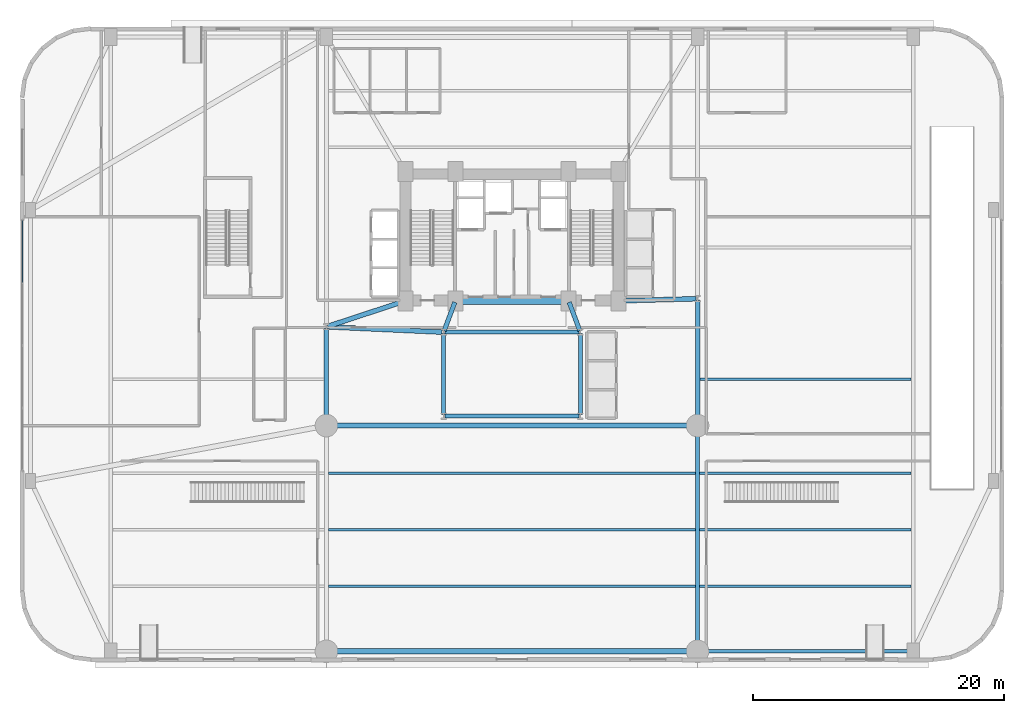
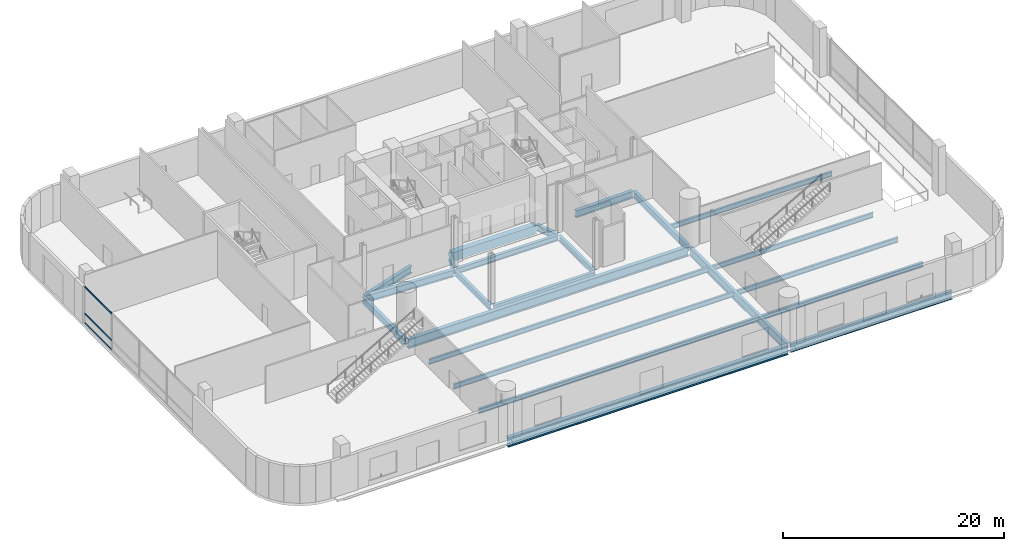
# One storey, part 9 of 26: 23 beams, 3 members, 1 element without a shape of its own.
"""IFC4 building model written with IfcOpenShell, lengths in metres."""

from ifc_helpers import new_model, si_unit, direction, frame, origin, origin_2d, place, context, subcontext, project, spatial, rectangle, hollow_rectangle, i_section, extrude, material, layer, layer_set, material_profile, profile_set, type_object, element, aggregate, save


model = new_model("IFC4")

# Units and contexts
model_context = context("Model", 3, precision=1e-05, world=origin(), true_north=direction((0.0, 1.0)))
body_context = subcontext(model_context, "Body", "Model", "MODEL_VIEW")
ifc_project = project(units=[si_unit("LENGTHUNIT", "METRE"), si_unit("AREAUNIT", "SQUARE_METRE"), si_unit("VOLUMEUNIT", "CUBIC_METRE"), si_unit("PLANEANGLEUNIT", "RADIAN"), si_unit("MASSUNIT", "GRAM", prefix="KILO")], contexts=[model_context])

# Site, building, storey
site_placement = place(None, origin())
site = spatial("IfcSite", under=ifc_project, at=site_placement, CompositionType="ELEMENT")
building_placement = place(site_placement, origin())
building = spatial("IfcBuilding", under=site, at=building_placement, Name="Varnelok Gate Tower", CompositionType="ELEMENT")
storey_placement = place(building_placement, origin())
storey = spatial("IfcBuildingStorey", under=building, at=storey_placement, Name="L00", CompositionType="ELEMENT", Elevation=0.0)

# Beams
ifc_material_1 = material(Name="Structural Steel ASTM A992 Grade 50", Category="steel")
ifc_material_profile_1 = material_profile(ifc_material_1, i_section(OverallWidth=0.2119140625, OverallDepth=0.5439453125, WebThickness=0.01318359375, FlangeThickness=0.021240234375, FilletRadius=0.01611328125, at=origin_2d()), Name="W21X83")
ifc_profile_set_1 = profile_set([ifc_material_profile_1], Name="Structural Steel ASTM A992 Grade 50")
beam_type_1 = type_object("IfcBeamType", Name="BM-JST-W21X83", PredefinedType="JOIST", material=ifc_profile_set_1)
beam_1_placement = place(storey_placement, frame((54.159912109375, 6.0, -0.592041015625), z_axis=(1.0, 0.0, 0.0), x_axis=(0.0, 1.0, 0.0)))
element("IfcBeam", 1, at=beam_1_placement, inside=storey, type_object=beam_type_1, Name="L00 Podium Floor Joist", PredefinedType="JOIST", context=body_context, shape_type="SweptSolid", body=[
    extrude(i_section(OverallWidth=0.2119140625, OverallDepth=0.5439453125, WebThickness=0.01318359375, FlangeThickness=0.021240234375, FilletRadius=0.01611328125, at=origin_2d()), origin(), (0.0, 0.0, 1.0), 16.880126953125),
])
beam_2_placement = place(storey_placement, frame((24.56005859375, 6.0, -0.592041015625), z_axis=(1.0, 0.0, 0.0), x_axis=(0.0, 1.0, 0.0)))
element("IfcBeam", 2, at=beam_2_placement, inside=storey, type_object=beam_type_1, Name="L00 Central Bay Joist", PredefinedType="JOIST", context=body_context, shape_type="SweptSolid", body=[
    extrude(i_section(OverallWidth=0.2119140625, OverallDepth=0.5439453125, WebThickness=0.01318359375, FlangeThickness=0.021240234375, FilletRadius=0.01611328125, at=origin_2d()), origin(), (0.0, 0.0, 1.0), 29.280029296875),
])
beam_3_placement = place(storey_placement, frame((54.159912109375, 10.5, -0.592041015625), z_axis=(1.0, 0.0, 0.0), x_axis=(0.0, 1.0, 0.0)))
element("IfcBeam", 3, at=beam_3_placement, inside=storey, type_object=beam_type_1, Name="L00 Podium Floor Joist", PredefinedType="JOIST", context=body_context, shape_type="SweptSolid", body=[
    extrude(i_section(OverallWidth=0.2119140625, OverallDepth=0.5439453125, WebThickness=0.01318359375, FlangeThickness=0.021240234375, FilletRadius=0.01611328125, at=origin_2d()), origin(), (0.0, 0.0, 1.0), 16.880126953125),
])
beam_4_placement = place(storey_placement, frame((24.56005859375, 10.5, -0.592041015625), z_axis=(1.0, 0.0, 0.0), x_axis=(0.0, 1.0, 0.0)))
element("IfcBeam", 4, at=beam_4_placement, inside=storey, type_object=beam_type_1, Name="L00 Central Bay Joist", PredefinedType="JOIST", context=body_context, shape_type="SweptSolid", body=[
    extrude(i_section(OverallWidth=0.2119140625, OverallDepth=0.5439453125, WebThickness=0.01318359375, FlangeThickness=0.021240234375, FilletRadius=0.01611328125, at=origin_2d()), origin(), (0.0, 0.0, 1.0), 29.280029296875),
])
beam_5_placement = place(storey_placement, frame((54.159912109375, 15.0, -0.592041015625), z_axis=(1.0, 0.0, 0.0), x_axis=(0.0, 1.0, 0.0)))
element("IfcBeam", 5, at=beam_5_placement, inside=storey, type_object=beam_type_1, Name="L00 Podium Floor Joist", PredefinedType="JOIST", context=body_context, shape_type="SweptSolid", body=[
    extrude(i_section(OverallWidth=0.2119140625, OverallDepth=0.5439453125, WebThickness=0.01318359375, FlangeThickness=0.021240234375, FilletRadius=0.01611328125, at=origin_2d()), origin(), (0.0, 0.0, 1.0), 16.880126953125),
])
beam_6_placement = place(storey_placement, frame((24.56005859375, 15.0, -0.592041015625), z_axis=(1.0, 0.0, 0.0), x_axis=(0.0, 1.0, 0.0)))
element("IfcBeam", 6, at=beam_6_placement, inside=storey, type_object=beam_type_1, Name="L00 Central Bay Joist", PredefinedType="JOIST", context=body_context, shape_type="SweptSolid", body=[
    extrude(i_section(OverallWidth=0.2119140625, OverallDepth=0.5439453125, WebThickness=0.01318359375, FlangeThickness=0.021240234375, FilletRadius=0.01611328125, at=origin_2d()), origin(), (0.0, 0.0, 1.0), 29.280029296875),
])
beam_7_placement = place(storey_placement, frame((54.159912109375, 22.5, -0.592041015625), z_axis=(1.0, 0.0, 0.0), x_axis=(0.0, 1.0, 0.0)))
element("IfcBeam", 7, at=beam_7_placement, inside=storey, type_object=beam_type_1, Name="L00 Podium Floor Joist", PredefinedType="JOIST", context=body_context, shape_type="SweptSolid", body=[
    extrude(i_section(OverallWidth=0.2119140625, OverallDepth=0.5439453125, WebThickness=0.01318359375, FlangeThickness=0.021240234375, FilletRadius=0.01611328125, at=origin_2d()), origin(), (0.0, 0.0, 1.0), 16.880126953125),
])
ifc_material_2 = material(Name="Concrete C60/75", Category="concrete")
ifc_material_profile_2 = material_profile(ifc_material_2, rectangle(XDim=0.60009765625, YDim=0.949951171875, at=origin_2d()), Name="RC950X600")
ifc_profile_set_2 = profile_set([ifc_material_profile_2], Name="Concrete C60/75")
beam_type_2 = type_object("IfcBeamType", Name="BM-LNT-RC950", PredefinedType="LINTEL", material=ifc_profile_set_2)
beam_8_placement = place(storey_placement, frame((34.800048828125, 28.75, -0.794921875), z_axis=(1.0, 0.0, 0.0), x_axis=(0.0, 1.0, 0.0)))
element("IfcBeam", 8, at=beam_8_placement, inside=storey, type_object=beam_type_2, Name="L00 Core-Atrium Spine Beam 7", PredefinedType="LINTEL", context=body_context, shape_type="SweptSolid", body=[
    extrude(rectangle(XDim=0.60009765625, YDim=0.949951171875, at=origin_2d()), origin(), (0.0, 0.0, 1.0), 8.800048828125),
])
ifc_material_profile_3 = material_profile(ifc_material_1, i_section(OverallWidth=0.35498046875, OverallDepth=0.696044921875, WebThickness=0.015380859375, FlangeThickness=0.02490234375, FilletRadius=0.02001953125, at=origin_2d()), Name="W27X146")
ifc_profile_set_3 = profile_set([ifc_material_profile_3], Name="Structural Steel ASTM A992 Grade 50")
beam_type_3 = type_object("IfcBeamType", Name="BM-PRI-W27X146", PredefinedType="BEAM", material=ifc_profile_set_3)
for number, where, z_axis, x_axis, name in (
    (9, (33.791748046875, 26.362548828125, -0.66796875), (0.348719329408, 0.937227202602, 0.0), (-0.937227202602, 0.348719329408, 0.0), "L00 Core-Atrium Spine Beam 12"),
    (10, (44.608154296875, 26.362548828125, -0.66796875), (-0.348719329408, 0.937227202602, 0.0), (-0.937227202602, -0.348719329408, 0.0), "L00 Core-Atrium Spine Beam 13"),
):
    element("IfcBeam", number, at=place(storey_placement, frame(where, z_axis=z_axis, x_axis=x_axis)), inside=storey, type_object=beam_type_3, Name=name, PredefinedType="BEAM", context=body_context, shape_type="SweptSolid", body=[
        extrude(i_section(OverallWidth=0.35498046875, OverallDepth=0.696044921875, WebThickness=0.015380859375, FlangeThickness=0.02490234375, FilletRadius=0.02001953125, at=origin_2d()), origin(), (0.0, 0.0, 1.0), 2.42724609375),
    ])
beam_9_placement = place(storey_placement, frame((24.39990234375, 18.919921875, -0.66796875), z_axis=(0.0, 1.0, 0.0), x_axis=(-1.0, 0.0, 0.0)))
element("IfcBeam", 11, at=beam_9_placement, inside=storey, type_object=beam_type_3, Name="L00 Core-Atrium Spine Beam 16", PredefinedType="BEAM", context=body_context, shape_type="SweptSolid", body=[
    extrude(i_section(OverallWidth=0.35498046875, OverallDepth=0.696044921875, WebThickness=0.015380859375, FlangeThickness=0.02490234375, FilletRadius=0.02001953125, at=origin_2d()), origin(), (0.0, 0.0, 1.0), 7.64013671875),
])
beam_10_placement = place(storey_placement, frame((54.0, 18.919921875, -0.66796875), z_axis=(0.0, 1.0, 0.0), x_axis=(-1.0, 0.0, 0.0)))
element("IfcBeam", 12, at=beam_10_placement, inside=storey, type_object=beam_type_3, Name="L00 Core-Atrium Spine Beam 20", PredefinedType="BEAM", context=body_context, shape_type="SweptSolid", body=[
    extrude(i_section(OverallWidth=0.35498046875, OverallDepth=0.696044921875, WebThickness=0.015380859375, FlangeThickness=0.02490234375, FilletRadius=0.02001953125, at=origin_2d()), origin(), (0.0, 0.0, 1.0), 9.880126953125),
])
ifc_material_profile_4 = material_profile(ifc_material_1, i_section(OverallWidth=0.381103515625, OverallDepth=0.77294921875, WebThickness=0.0166015625, FlangeThickness=0.027099609375, FilletRadius=0.02197265625, at=origin_2d()), Name="W30X173")
ifc_profile_set_4 = profile_set([ifc_material_profile_4], Name="Structural Steel ASTM A992 Grade 50")
beam_type_4 = type_object("IfcBeamType", Name="BM-PRI-W30X173", PredefinedType="BEAM", material=ifc_profile_set_4)
beam_11_placement = place(storey_placement, frame((24.52001953125, 26.674560546875, -0.70654296875), z_axis=(0.99894427814, -0.045938319209, 0.0), x_axis=(0.045938319209, 0.99894427814, 0.0)))
element("IfcBeam", 13, at=beam_11_placement, inside=storey, type_object=beam_type_4, Name="L00 Core-Atrium Spine Beam 15", PredefinedType="BEAM", context=body_context, shape_type="SweptSolid", body=[
    extrude(i_section(OverallWidth=0.381103515625, OverallDepth=0.77294921875, WebThickness=0.0166015625, FlangeThickness=0.027099609375, FilletRadius=0.02197265625, at=origin_2d()), origin(), (0.0, 0.0, 1.0), 9.11962890625),
])
beam_12_placement = place(storey_placement, frame((24.513916015625, 26.717529296875, -0.70654296875), z_axis=(0.950041943788, 0.312122259768, 0.0), x_axis=(-0.312122259768, 0.950041943788, 0.0)))
element("IfcBeam", 14, at=beam_12_placement, inside=storey, type_object=beam_type_4, Name="L00 Core-Atrium Spine Beam 17", PredefinedType="BEAM", context=body_context, shape_type="SweptSolid", body=[
    extrude(i_section(OverallWidth=0.381103515625, OverallDepth=0.77294921875, WebThickness=0.0166015625, FlangeThickness=0.027099609375, FilletRadius=0.02197265625, at=origin_2d()), origin(), (0.0, 0.0, 1.0), 6.391357421875),
])
beam_13_placement = place(storey_placement, frame((47.820068359375, 28.753173828125, -0.70654296875), z_axis=(0.999635880609, 0.026983443053, 0.0), x_axis=(-0.026983443053, 0.999635880609, 0.0)))
element("IfcBeam", 15, at=beam_13_placement, inside=storey, type_object=beam_type_4, Name="L00 Core-Atrium Spine Beam 19", PredefinedType="BEAM", context=body_context, shape_type="SweptSolid", body=[
    extrude(i_section(OverallWidth=0.381103515625, OverallDepth=0.77294921875, WebThickness=0.0166015625, FlangeThickness=0.027099609375, FilletRadius=0.02197265625, at=origin_2d()), origin(), (0.0, 0.0, 1.0), 6.06201171875),
])
ifc_material_profile_5 = material_profile(ifc_material_1, i_section(OverallWidth=0.30810546875, OverallDepth=0.943115234375, WebThickness=0.022216796875, FlangeThickness=0.039794921875, FilletRadius=0.02587890625, at=origin_2d()), Name="W36X232")
ifc_profile_set_5 = profile_set([ifc_material_profile_5], Name="Structural Steel ASTM A992 Grade 50")
beam_type_5 = type_object("IfcBeamType", Name="BM-PRI-W36X232", PredefinedType="BEAM", material=ifc_profile_set_5)
beam_14_placement = place(storey_placement, frame((54.139892578125, 0.800048828125, -0.79150390625), z_axis=(1.0, 0.0, 0.0), x_axis=(0.0, 1.0, 0.0)))
element("IfcBeam", 16, at=beam_14_placement, inside=storey, type_object=beam_type_5, Name="L00 Podium Primary Girder 2", PredefinedType="BEAM", context=body_context, shape_type="SweptSolid", body=[
    extrude(i_section(OverallWidth=0.30810546875, OverallDepth=0.943115234375, WebThickness=0.022216796875, FlangeThickness=0.039794921875, FilletRadius=0.02587890625, at=origin_2d()), origin(), (0.0, 0.0, 1.0), 16.920166015625),
])
beam_15_placement = place(storey_placement, frame((54.0, 0.93994140625, -0.79150390625), z_axis=(0.0, 1.0, 0.0), x_axis=(-1.0, 0.0, 0.0)))
element("IfcBeam", 17, at=beam_15_placement, inside=storey, type_object=beam_type_5, Name="L00 Podium Primary Girder 13", PredefinedType="BEAM", context=body_context, shape_type="SweptSolid", body=[
    extrude(i_section(OverallWidth=0.30810546875, OverallDepth=0.943115234375, WebThickness=0.022216796875, FlangeThickness=0.039794921875, FilletRadius=0.02587890625, at=origin_2d()), origin(), (0.0, 0.0, 1.0), 17.719970703125),
])
ifc_material_profile_6 = material_profile(ifc_material_1, i_section(OverallWidth=0.323974609375, OverallDepth=0.611083984375, WebThickness=0.0126953125, FlangeThickness=0.01904296875, FilletRadius=0.01806640625, at=origin_2d()), Name="W24X104")
ifc_profile_set_6 = profile_set([ifc_material_profile_6], Name="Structural Steel ASTM A992 Grade 50")
beam_type_6 = type_object("IfcBeamType", Name="BM-SPN-W24X104", PredefinedType="SPANDREL", material=ifc_profile_set_6)
for number, where, z_axis, x_axis, name in (
    (18, (33.8701171875, 19.550048828125, -0.62548828125), (1.0, 0.0, 0.0), (0.0, 1.0, 0.0), "L00 Core-Atrium Spine Beam 8"),
    (19, (33.8701171875, 26.25, -0.62548828125), (1.0, 0.0, 0.0), (0.0, 1.0, 0.0), "L00 Core-Atrium Spine Beam 9"),
):
    element("IfcBeam", number, at=place(storey_placement, frame(where, z_axis=z_axis, x_axis=x_axis)), inside=storey, type_object=beam_type_6, Name=name, PredefinedType="SPANDREL", context=body_context, shape_type="SweptSolid", body=[
        extrude(i_section(OverallWidth=0.323974609375, OverallDepth=0.611083984375, WebThickness=0.0126953125, FlangeThickness=0.01904296875, FilletRadius=0.01806640625, at=origin_2d()), origin(), (0.0, 0.0, 1.0), 10.659912109375),
    ])
for number, where, z_axis, x_axis, name in (
    (20, (33.75, 19.669921875, -0.62548828125), (0.0, 1.0, 0.0), (-1.0, 0.0, 0.0), "L00 Core-Atrium Spine Beam 10"),
    (21, (44.64990234375, 19.669921875, -0.62548828125), (0.0, 1.0, 0.0), (-1.0, 0.0, 0.0), "L00 Core-Atrium Spine Beam 11"),
):
    element("IfcBeam", number, at=place(storey_placement, frame(where, z_axis=z_axis, x_axis=x_axis)), inside=storey, type_object=beam_type_6, Name=name, PredefinedType="SPANDREL", context=body_context, shape_type="SweptSolid", body=[
        extrude(i_section(OverallWidth=0.323974609375, OverallDepth=0.611083984375, WebThickness=0.0126953125, FlangeThickness=0.01904296875, FilletRadius=0.01806640625, at=origin_2d()), origin(), (0.0, 0.0, 1.0), 6.4599609375),
    ])
ifc_material_profile_7 = material_profile(ifc_material_1, i_section(OverallWidth=0.409912109375, OverallDepth=1.0400390625, WebThickness=0.031005859375, FlangeThickness=0.055908203125, FilletRadius=0.030029296875, at=origin_2d()), Name="W40X397")
ifc_profile_set_7 = profile_set([ifc_material_profile_7], Name="Structural Steel ASTM A992 Grade 50")
beam_type_7 = type_object("IfcBeamType", Name="BM-TIE-W40X397", PredefinedType="BEAM", material=ifc_profile_set_7)
for number, where, z_axis, x_axis, name in (
    (22, (24.5400390625, 0.800048828125, -0.840087890625), (1.0, 0.0, 0.0), (0.0, 1.0, 0.0), "L00 Podium Primary Girder 24"),
    (23, (24.5400390625, 18.800048828125, -0.840087890625), (1.0, 0.0, 0.0), (0.0, 1.0, 0.0), "L00 Podium Primary Girder 25"),
):
    element("IfcBeam", number, at=place(storey_placement, frame(where, z_axis=z_axis, x_axis=x_axis)), inside=storey, type_object=beam_type_7, Name=name, PredefinedType="BEAM", context=body_context, shape_type="SweptSolid", body=[
        extrude(i_section(OverallWidth=0.409912109375, OverallDepth=1.0400390625, WebThickness=0.031005859375, FlangeThickness=0.055908203125, FilletRadius=0.030029296875, at=origin_2d()), origin(), (0.0, 0.0, 1.0), 29.320068359375),
    ])

# Curtain wall, members
ifc_material_3 = material(Name="Anodized Aluminum Alloy 6063-T6", Category="aluminium")
ifc_layer = layer(ifc_material_3, 0.179931640625)
ifc_layer_set = layer_set([ifc_layer], Name="Anodized Aluminum Alloy 6063-T6")
curtain_wall_type = type_object("IfcCurtainWallType", Name="CW1-ARCH-PORTAL", PredefinedType="USERDEFINED", material=ifc_layer_set)
curtain_wall_placement = place(storey_placement, origin())
curtain_wall = element("IfcCurtainWall", 24, at=curtain_wall_placement, inside=storey, type_object=curtain_wall_type, Name="L00 Podium Portal Curtain Wall W", ObjectType="UNITISED CURTAIN WALL", PredefinedType="USERDEFINED")
ifc_material_profile_8 = material_profile(ifc_material_3, hollow_rectangle(XDim=0.074951171875, YDim=0.199951171875, WallThickness=0.00390625, at=origin_2d()), Name="ALU200X75X4")
ifc_profile_set_8 = profile_set([ifc_material_profile_8], Name="Anodized Aluminum Alloy 6063-T6")
member_type = type_object("IfcMemberType", Name="CW-TRAN-200", PredefinedType="USERDEFINED", material=ifc_profile_set_8)
member_1_placement = place(storey_placement, frame((0.159912109375, 30.237548828125, 0.03759765625), z_axis=(0.0, 1.0, 0.0), x_axis=(-1.0, 0.0, 0.0)))
member_1 = element("IfcMember", 25, at=member_1_placement, type_object=member_type, Name="CW1 transom 4.1", ObjectType="TRANSOM", PredefinedType="USERDEFINED", context=body_context, shape_type="SweptSolid", body=[
    extrude(hollow_rectangle(XDim=0.074951171875, YDim=0.199951171875, WallThickness=0.00390625, at=origin_2d()), origin(), (0.0, 0.0, 1.0), 4.887451171875),
])
member_2_placement = place(storey_placement, frame((0.159912109375, 30.237548828125, 1.10009765625), z_axis=(0.0, 1.0, 0.0), x_axis=(-1.0, 0.0, 0.0)))
member_2 = element("IfcMember", 26, at=member_2_placement, type_object=member_type, Name="CW1 transom 4.2", ObjectType="TRANSOM", PredefinedType="USERDEFINED", context=body_context, shape_type="SweptSolid", body=[
    extrude(hollow_rectangle(XDim=0.074951171875, YDim=0.199951171875, WallThickness=0.00390625, at=origin_2d()), origin(), (0.0, 0.0, 1.0), 4.887451171875),
])
member_3_placement = place(storey_placement, frame((0.159912109375, 30.237548828125, 4.032470703125), z_axis=(0.0, 1.0, 0.0), x_axis=(-1.0, 0.0, 0.0)))
member_3 = element("IfcMember", 27, at=member_3_placement, type_object=member_type, Name="CW1 transom 4.3", ObjectType="TRANSOM", PredefinedType="USERDEFINED", context=body_context, shape_type="SweptSolid", body=[
    extrude(hollow_rectangle(XDim=0.074951171875, YDim=0.199951171875, WallThickness=0.00390625, at=origin_2d()), origin(), (0.0, 0.0, 1.0), 4.887451171875),
])
aggregate(curtain_wall, [member_1, member_2, member_3])

save(model, "model.ifc")
